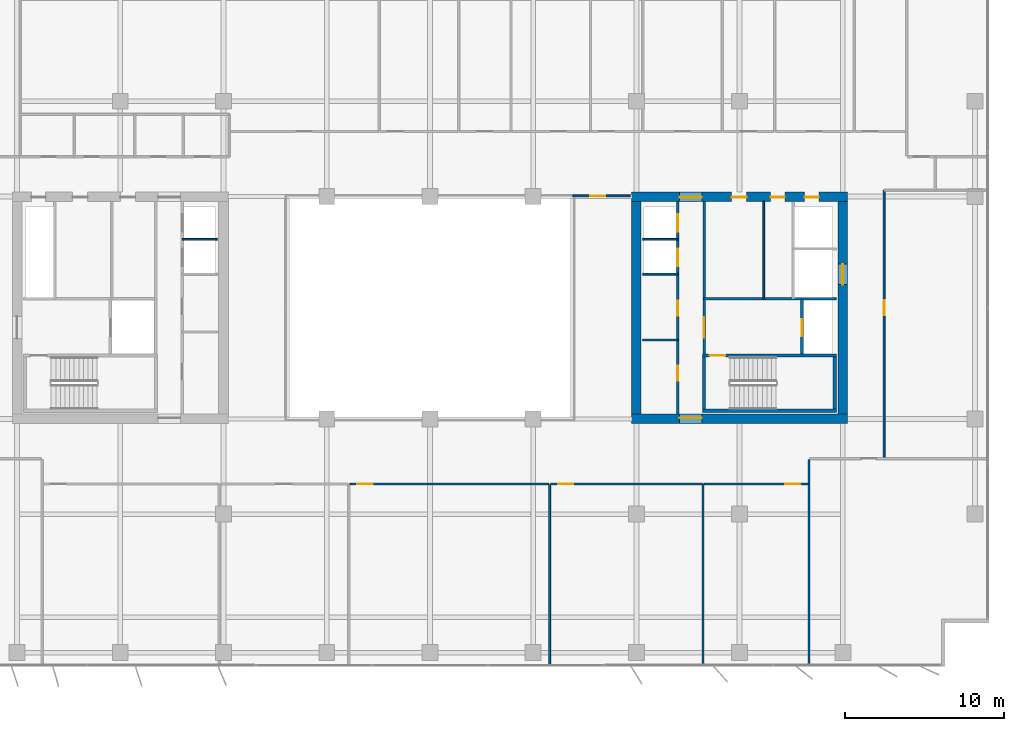
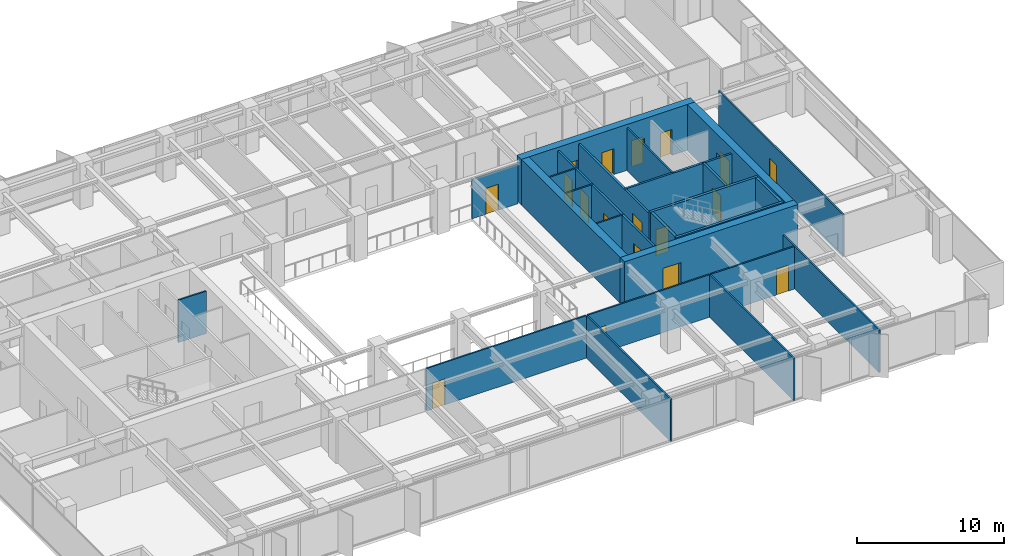
# One storey, part 16 of 22: 25 walls, 18 doors, 18 openings.
"""IFC4 building model written with IfcOpenShell, lengths in metres."""

from ifc_helpers import new_model, si_unit, direction, frame, frame_2d, origin, place, context, subcontext, project, spatial, rectangle, extrude, material, layer, layer_set, type_object, element, fill, save


model = new_model("IFC4")

# Units and contexts
model_context = context("Model", 3, precision=1e-05, world=origin(), true_north=direction((0.0, 1.0)))
body_context = subcontext(model_context, "Body", "Model", "MODEL_VIEW")
ifc_project = project(units=[si_unit("LENGTHUNIT", "METRE"), si_unit("AREAUNIT", "SQUARE_METRE"), si_unit("VOLUMEUNIT", "CUBIC_METRE"), si_unit("PLANEANGLEUNIT", "RADIAN"), si_unit("MASSUNIT", "GRAM", prefix="KILO")], contexts=[model_context])

# Site, building, storey
site_placement = place(None, origin())
site = spatial("IfcSite", under=ifc_project, at=site_placement, CompositionType="ELEMENT")
building_placement = place(site_placement, origin())
building = spatial("IfcBuilding", under=site, at=building_placement, Name="Putna Gate Headquarters", CompositionType="ELEMENT")
storey_placement = place(building_placement, frame((0.0, 0.0, 193.60009765625)))
storey = spatial("IfcBuildingStorey", under=building, at=storey_placement, Name="L48", CompositionType="ELEMENT", Elevation=193.60009765625)

# Wall, opening, door
ifc_material_1 = material(Name="Concrete C50/60", Category="concrete")
ifc_layer_1 = layer(ifc_material_1, 0.60009765625)
ifc_layer_set_1 = layer_set([ifc_layer_1], Name="Concrete C50/60")
wall_type_1 = type_object("IfcWallType", Name="WALL-CORE-600", PredefinedType="SHEAR", material=ifc_layer_set_1)
wall_1_placement = place(storey_placement, frame((51.699951171875, 19.0, 0.0), z_axis=(0.0, 0.0, 1.0), x_axis=(1.0, 0.0, 0.0)))
wall_1 = element("IfcWall", 1, at=wall_1_placement, inside=storey, type_object=wall_type_1, Name="L48 EC Split Core Shear Wall S", PredefinedType="SHEAR", context=body_context, shape_type="SweptSolid", body=[
    extrude(rectangle(XDim=13.60009765625, YDim=0.60009765625, at=frame_2d((6.800048828125, 0.0))), origin(), (0.0, 0.0, 1.0), 3.7998046875),
])
opening_1_placement = place(wall_1_placement, frame((3.02001953125, 0.0, 0.0)))
opening_1 = element("IfcOpeningElement", 2, at=opening_1_placement, cuts=wall_1, Name="Opening FDD-140", PredefinedType="OPENING", context=body_context, shape_type="SweptSolid", body=[
    extrude(rectangle(XDim=1.39990234375, YDim=2.199951171875, at=frame_2d((0.699951171875, 1.10009765625))), frame((0.0, 0.31005859375, 0.0), z_axis=(0.0, -1.0, 0.0), x_axis=(1.0, 0.0, 0.0)), (0.0, 0.0, 1.0), 0.6201171875),
])
ifc_material_2 = material(Name="Double steel fire door", Category="steel")
door_type_1 = type_object("IfcDoorType", Name="DOOR-FIRE-DBL-1400", OperationType="DOUBLE_DOOR_SINGLE_SWING", PredefinedType="DOOR", material=ifc_material_2)
door_1_placement = place(opening_1_placement, origin())
door_1 = element("IfcDoor", 3, at=door_1_placement, inside=storey, type_object=door_type_1, Name="L48 East Lift Lobby South Door", OperationType="DOUBLE_DOOR_SINGLE_SWING", OverallHeight=2.199951171875, OverallWidth=1.39990234375, PredefinedType="DOOR", context=body_context, shape_type="SweptSolid", body=[
    extrude(rectangle(XDim=1.39990234375, YDim=2.199951171875, at=frame_2d((0.699951171875, 1.10009765625))), frame((0.0, 0.0751953125, 0.0), z_axis=(0.0, -1.0, 0.0), x_axis=(1.0, 0.0, 0.0)), (0.0, 0.0, 1.0), 0.050048828125),
])
fill(opening_1, door_1)

# Wall, openings, doors
wall_2_placement = place(storey_placement, frame((51.699951171875, 33.0, 0.0), z_axis=(0.0, 0.0, 1.0), x_axis=(1.0, 0.0, 0.0)))
wall_2 = element("IfcWall", 4, at=wall_2_placement, inside=storey, type_object=wall_type_1, Name="L48 EC Split Core Shear Wall N", PredefinedType="SHEAR", context=body_context, shape_type="SweptSolid", body=[
    extrude(rectangle(XDim=13.60009765625, YDim=0.60009765625, at=frame_2d((6.800048828125, 0.0))), origin(), (0.0, 0.0, 1.0), 3.7998046875),
])
opening_2_placement = place(wall_2_placement, frame((3.02001953125, 0.0, 0.0)))
opening_2 = element("IfcOpeningElement", 5, at=opening_2_placement, cuts=wall_2, Name="Opening FDD-140", PredefinedType="OPENING", context=body_context, shape_type="SweptSolid", body=[
    extrude(rectangle(XDim=1.39990234375, YDim=2.199951171875, at=frame_2d((0.699951171875, 1.10009765625))), frame((0.0, 0.31005859375, 0.0), z_axis=(0.0, -1.0, 0.0), x_axis=(1.0, 0.0, 0.0)), (0.0, 0.0, 1.0), 0.6201171875),
])
opening_3_placement = place(wall_2_placement, frame((10.89990234375, 0.0, 0.0)))
opening_3 = element("IfcOpeningElement", 6, at=opening_3_placement, cuts=wall_2, Name="Opening RD-90", PredefinedType="OPENING", context=body_context, shape_type="SweptSolid", body=[
    extrude(rectangle(XDim=0.89990234375, YDim=2.14990234375, at=frame_2d((0.449951171875, 1.074951171875))), frame((0.0, 0.31005859375, 0.0), z_axis=(0.0, -1.0, 0.0), x_axis=(1.0, 0.0, 0.0)), (0.0, 0.0, 1.0), 0.6201171875),
])
opening_4_placement = place(wall_2_placement, frame((6.300048828125, 0.0, 0.0)))
opening_4 = element("IfcOpeningElement", 7, at=opening_4_placement, cuts=wall_2, Name="Opening IDS-95", PredefinedType="OPENING", context=body_context, shape_type="SweptSolid", body=[
    extrude(rectangle(XDim=0.949951171875, YDim=2.14990234375, at=frame_2d((0.47509765625, 1.074951171875))), frame((0.0, 0.31005859375, 0.0), z_axis=(0.0, -1.0, 0.0), x_axis=(1.0, 0.0, 0.0)), (0.0, 0.0, 1.0), 0.6201171875),
])
opening_5_placement = place(wall_2_placement, frame((8.75, 0.0, 0.0)))
opening_5 = element("IfcOpeningElement", 8, at=opening_5_placement, cuts=wall_2, Name="Opening IDS-90", PredefinedType="OPENING", context=body_context, shape_type="SweptSolid", body=[
    extrude(rectangle(XDim=0.89990234375, YDim=2.14990234375, at=frame_2d((0.449951171875, 1.074951171875))), frame((0.0, 0.31005859375, 0.0), z_axis=(0.0, -1.0, 0.0), x_axis=(1.0, 0.0, 0.0)), (0.0, 0.0, 1.0), 0.6201171875),
])
door_2_placement = place(opening_2_placement, origin())
door_2 = element("IfcDoor", 9, at=door_2_placement, inside=storey, type_object=door_type_1, Name="L48 East Lift Lobby North Door", OperationType="DOUBLE_DOOR_SINGLE_SWING", OverallHeight=2.199951171875, OverallWidth=1.39990234375, PredefinedType="DOOR", context=body_context, shape_type="SweptSolid", body=[
    extrude(rectangle(XDim=1.39990234375, YDim=2.199951171875, at=frame_2d((0.699951171875, 1.10009765625))), frame((0.0, -0.02490234375, 0.0), z_axis=(0.0, -1.0, 0.0), x_axis=(1.0, 0.0, 0.0)), (0.0, 0.0, 1.0), 0.050048828125),
])
fill(opening_2, door_2)
ifc_material_3 = material(Name="Fire-rated utility door")
door_type_2 = type_object("IfcDoorType", Name="DOOR-INT-900", OperationType="NOTDEFINED", PredefinedType="DOOR", material=ifc_material_3)
door_3_placement = place(opening_5_placement, origin())
door_3 = element("IfcDoor", 10, at=door_3_placement, inside=storey, type_object=door_type_2, Name="L48 Electrical Plant Door", OperationType="SINGLE_SWING_LEFT", OverallHeight=2.14990234375, OverallWidth=0.89990234375, PredefinedType="DOOR", context=body_context, shape_type="SweptSolid", body=[
    extrude(rectangle(XDim=0.89990234375, YDim=2.14990234375, at=frame_2d((0.449951171875, 1.074951171875))), frame((0.0, -0.02490234375, 0.0), z_axis=(0.0, -1.0, 0.0), x_axis=(1.0, 0.0, 0.0)), (0.0, 0.0, 1.0), 0.050048828125),
])
fill(opening_5, door_3)
ifc_material_4 = material(Name="Fire-rated service timber door", Category="wood")
door_type_3 = type_object("IfcDoorType", Name="DOOR-INT-950", OperationType="NOTDEFINED", PredefinedType="DOOR", material=ifc_material_4)
door_4_placement = place(opening_4_placement, origin())
door_4 = element("IfcDoor", 11, at=door_4_placement, inside=storey, type_object=door_type_3, Name="L48 East Store Door", OperationType="SINGLE_SWING_RIGHT", OverallHeight=2.14990234375, OverallWidth=0.949951171875, PredefinedType="DOOR", context=body_context, shape_type="SweptSolid", body=[
    extrude(rectangle(XDim=0.949951171875, YDim=2.14990234375, at=frame_2d((0.47509765625, 1.074951171875))), frame((0.0, -0.02490234375, 0.0), z_axis=(0.0, -1.0, 0.0), x_axis=(1.0, 0.0, 0.0)), (0.0, 0.0, 1.0), 0.050048828125),
])
fill(opening_4, door_4)
ifc_material_5 = material(Name="Steel riser access fire door", Category="steel")
door_type_4 = type_object("IfcDoorType", Name="DOOR-RISER-900", OperationType="NOTDEFINED", PredefinedType="DOOR", material=ifc_material_5)
door_5_placement = place(opening_3_placement, origin())
door_5 = element("IfcDoor", 12, at=door_5_placement, inside=storey, type_object=door_type_4, Name="L48 East Riser Access Door", OperationType="SINGLE_SWING_LEFT", OverallHeight=2.14990234375, OverallWidth=0.89990234375, PredefinedType="DOOR", context=body_context, shape_type="SweptSolid", body=[
    extrude(rectangle(XDim=0.89990234375, YDim=2.14990234375, at=frame_2d((0.449951171875, 1.074951171875))), frame((0.0, -0.02490234375, 0.0), z_axis=(0.0, -1.0, 0.0), x_axis=(1.0, 0.0, 0.0)), (0.0, 0.0, 1.0), 0.050048828125),
])
fill(opening_3, door_5)

# Wall
wall_3_placement = place(storey_placement, frame((52.0, 19.300048828125, 0.0), z_axis=(0.0, 0.0, 1.0), x_axis=(0.0, 1.0, 0.0)))
element("IfcWall", 13, at=wall_3_placement, inside=storey, type_object=wall_type_1, Name="L48 EC Split Core Shear Wall W", PredefinedType="SHEAR", context=body_context, shape_type="SweptSolid", body=[
    extrude(rectangle(XDim=13.39990234375, YDim=0.60009765625, at=frame_2d((6.699951171875, 0.0))), origin(), (0.0, 0.0, 1.0), 3.7998046875),
])

# Wall, opening, door
wall_4_placement = place(storey_placement, frame((65.0, 19.300048828125, 0.0), z_axis=(0.0, 0.0, 1.0), x_axis=(0.0, 1.0, 0.0)))
wall_4 = element("IfcWall", 14, at=wall_4_placement, inside=storey, type_object=wall_type_1, Name="L48 EC Split Core Shear Wall E", PredefinedType="SHEAR", context=body_context, shape_type="SweptSolid", body=[
    extrude(rectangle(XDim=13.39990234375, YDim=0.60009765625, at=frame_2d((6.699951171875, 0.0))), origin(), (0.0, 0.0, 1.0), 3.7998046875),
])
opening_6_placement = place(wall_4_placement, frame((8.14990234375, 0.0, 0.0)))
opening_6 = element("IfcOpeningElement", 15, at=opening_6_placement, cuts=wall_4, Name="Opening LD-2", PredefinedType="OPENING", context=body_context, shape_type="SweptSolid", body=[
    extrude(rectangle(XDim=1.300048828125, YDim=2.199951171875, at=frame_2d((0.64990234375, 1.10009765625))), frame((0.0, 0.31005859375, 0.0), z_axis=(0.0, -1.0, 0.0), x_axis=(1.0, 0.0, 0.0)), (0.0, 0.0, 1.0), 0.6201171875),
])
ifc_material_6 = material(Name="Heavy-duty goods lift sliding landing door")
door_type_5 = type_object("IfcDoorType", Name="DOOR-LIFT-1300", OperationType="DOUBLE_DOOR_SLIDING", PredefinedType="DOOR", material=ifc_material_6)
door_6_placement = place(opening_6_placement, origin())
door_6 = element("IfcDoor", 16, at=door_6_placement, inside=storey, type_object=door_type_5, Name="L48 Goods Lift Landing Door LD-15", OperationType="DOUBLE_DOOR_SLIDING", OverallHeight=2.199951171875, OverallWidth=1.300048828125, PredefinedType="DOOR", context=body_context, shape_type="SweptSolid", body=[
    extrude(rectangle(XDim=1.300048828125, YDim=2.199951171875, at=frame_2d((0.64990234375, 1.10009765625))), frame((0.0, 0.02490234375, 0.0), z_axis=(0.0, -1.0, 0.0), x_axis=(1.0, 0.0, 0.0)), (0.0, 0.0, 1.0), 0.050048828125),
])
fill(opening_6, door_6)

ifc_material_7 = material(Name="Acoustic gypsum board on metal stud")
ifc_layer_2 = layer(ifc_material_7, 0.1201171875)
ifc_layer_set_2 = layer_set([ifc_layer_2], Name="Acoustic gypsum board on metal stud")
wall_type_2 = type_object("IfcWallType", Name="WALL-PART-120", PredefinedType="PARTITIONING", material=ifc_layer_set_2)
wall_5_placement = place(storey_placement, frame((48.0, 33.0400390625, 0.0), z_axis=(0.0, 0.0, 1.0), x_axis=(1.0, 0.0, 0.0)))
wall_5 = element("IfcWall", 17, at=wall_5_placement, inside=storey, type_object=wall_type_2, Name="L48 Interior Wall PART-L48-ATR-E-N", PredefinedType="PARTITIONING", context=body_context, shape_type="SweptSolid", body=[
    extrude(rectangle(XDim=3.60009765625, YDim=0.1201171875, at=frame_2d((1.800048828125, 0.0))), origin(), (0.0, 0.0, 1.0), 3.260009765625),
])
opening_7_placement = place(wall_5_placement, frame((1.10009765625, 0.0, 0.0)))
opening_7 = element("IfcOpeningElement", 18, at=opening_7_placement, cuts=wall_5, Name="Opening ID-95", PredefinedType="OPENING", context=body_context, shape_type="SweptSolid", body=[
    extrude(rectangle(XDim=0.949951171875, YDim=2.14990234375, at=frame_2d((0.47509765625, 1.074951171875))), frame((0.0, 0.070068359375, 0.0), z_axis=(0.0, -1.0, 0.0), x_axis=(1.0, 0.0, 0.0)), (0.0, 0.0, 1.0), 0.14013671875),
])
ifc_material_8 = material(Name="Veneered acoustic timber door", Category="wood")
door_type_6 = type_object("IfcDoorType", Name="DOOR-OFF-950", OperationType="NOTDEFINED", PredefinedType="DOOR", material=ifc_material_8)
door_7_placement = place(opening_7_placement, origin())
door_7 = element("IfcDoor", 19, at=door_7_placement, inside=storey, type_object=door_type_6, Name="L48 East Sky Atrium Lounge Door", OperationType="SINGLE_SWING_LEFT", OverallHeight=2.14990234375, OverallWidth=0.949951171875, PredefinedType="DOOR", context=body_context, shape_type="SweptSolid", body=[
    extrude(rectangle(XDim=0.949951171875, YDim=2.14990234375, at=frame_2d((0.47509765625, 1.074951171875))), frame((0.0, 0.02490234375, 0.0), z_axis=(0.0, -1.0, 0.0), x_axis=(1.0, 0.0, 0.0)), (0.0, 0.0, 1.0), 0.050048828125),
])
fill(opening_7, door_7)

# Walls
for number, where, z_axis, x_axis, name in (
    (20, (46.536376953125, 3.419921875, 0.0), (0.0, 0.0, 1.0), (0.0, 1.0, 0.0), "L48 Interior Wall PART-L48-SB-DIV-04"),
    (21, (56.19482421875, 3.419921875, 0.0), (0.0, 0.0, 1.0), (0.0, 1.0, 0.0), "L48 Interior Wall PART-L48-SB-DIV-05"),
):
    element("IfcWall", number, at=place(storey_placement, frame(where, z_axis=z_axis, x_axis=x_axis)), inside=storey, type_object=wall_type_2, Name=name, PredefinedType="PARTITIONING", context=body_context, shape_type="SweptSolid", body=[
        extrude(rectangle(XDim=11.420166015625, YDim=0.1201171875, at=frame_2d((5.7099609375, 0.0))), origin(), (0.0, 0.0, 1.0), 3.52001953125),
    ])
wall_6_placement = place(storey_placement, frame((62.86962890625, 3.419921875, 0.0), z_axis=(0.0, 0.0, 1.0), x_axis=(0.0, 1.0, 0.0)))
element("IfcWall", 22, at=wall_6_placement, inside=storey, type_object=wall_type_2, Name="L48 Interior Wall PART-L48-SB-DIV-06", PredefinedType="PARTITIONING", context=body_context, shape_type="SweptSolid", body=[
    extrude(rectangle(XDim=13.02001953125, YDim=0.1201171875, at=frame_2d((6.510009765625, 0.0))), origin(), (0.0, 0.0, 1.0), 3.52001953125),
])
ifc_material_9 = material(Name="Fire-rated shaftwall gypsum board on metal stud")
ifc_layer_3 = layer(ifc_material_9, 0.1201171875)
ifc_layer_set_3 = layer_set([ifc_layer_3], Name="Fire-rated shaftwall gypsum board on metal stud")
wall_type_3 = type_object("IfcWallType", Name="WALL-PART-120-EI120", PredefinedType="PARTITIONING", material=ifc_layer_set_3)
for number, where, z_axis, x_axis, name in (
    (23, (23.39990234375, 30.31005859375, 0.0), (0.0, 0.0, 1.0), (1.0, 0.0, 0.0), "L48 Interior Wall CWINT-L48-WC-LF09-DIV"),
    (24, (52.39990234375, 30.31005859375, 0.0), (0.0, 0.0, 1.0), (1.0, 0.0, 0.0), "L48 Interior Wall CWINT-L48-EC-LF11-DIV"),
):
    element("IfcWall", number, at=place(storey_placement, frame(where, z_axis=z_axis, x_axis=x_axis)), inside=storey, type_object=wall_type_3, Name=name, PredefinedType="PARTITIONING", context=body_context, shape_type="SweptSolid", body=[
        extrude(rectangle(XDim=2.2001953125, YDim=0.1201171875, at=frame_2d((1.10009765625, 0.0))), origin(), (0.0, 0.0, 1.0), 3.52001953125),
    ])
ifc_material_10 = material(Name="Fire-rated gypsum board on metal stud")
ifc_layer_4 = layer(ifc_material_10, 0.1201171875)
ifc_layer_set_4 = layer_set([ifc_layer_4], Name="Fire-rated gypsum board on metal stud")
wall_type_4 = type_object("IfcWallType", Name="WALL-PART-120-RATED", PredefinedType="PARTITIONING", material=ifc_layer_set_4)
for number, where, z_axis, x_axis, name in (
    (25, (52.39990234375, 23.969970703125, 0.0), (0.0, 0.0, 1.0), (1.0, 0.0, 0.0), "L48 Interior Wall CWINT-L48-EC-REUSE-DIV"),
    (26, (52.39990234375, 28.1201171875, 0.0), (0.0, 0.0, 1.0), (1.0, 0.0, 0.0), "L48 Interior Wall CWINT-L48-EC-LF08-DIV"),
):
    element("IfcWall", number, at=place(storey_placement, frame(where, z_axis=z_axis, x_axis=x_axis)), inside=storey, type_object=wall_type_4, Name=name, PredefinedType="PARTITIONING", context=body_context, shape_type="SweptSolid", body=[
        extrude(rectangle(XDim=2.2001953125, YDim=0.1201171875, at=frame_2d((1.10009765625, 0.0))), origin(), (0.0, 0.0, 1.0), 3.52001953125),
    ])
wall_7_placement = place(storey_placement, frame((60.02001953125, 26.56005859375, 0.0), z_axis=(0.0, 0.0, 1.0), x_axis=(0.0, 1.0, 0.0)))
element("IfcWall", 27, at=wall_7_placement, inside=storey, type_object=wall_type_4, Name="L48 Interior Wall CWINT-L48-EC-K0-DIV", PredefinedType="PARTITIONING", context=body_context, shape_type="SweptSolid", body=[
    extrude(rectangle(XDim=6.139892578125, YDim=0.1201171875, at=frame_2d((3.06982421875, 0.0))), origin(), (0.0, 0.0, 1.0), 3.52001953125),
])

# Wall, opening, door
wall_8_placement = place(storey_placement, frame((33.9541015625, 14.89990234375, 0.0), z_axis=(0.0, 0.0, 1.0), x_axis=(1.0, 0.0, 0.0)))
wall_8 = element("IfcWall", 28, at=wall_8_placement, inside=storey, type_object=wall_type_4, Name="L48 Interior Wall PART-L48-SB-CW-04", PredefinedType="PARTITIONING", context=body_context, shape_type="SweptSolid", body=[
    extrude(rectangle(XDim=12.522216796875, YDim=0.1201171875, at=frame_2d((6.26123046875, 0.0))), origin(), (0.0, 0.0, 1.0), 3.52001953125),
])
opening_8_placement = place(wall_8_placement, frame((0.47998046875, 0.0, 0.0)))
opening_8 = element("IfcOpeningElement", 29, at=opening_8_placement, cuts=wall_8, Name="Opening FD-95", PredefinedType="OPENING", context=body_context, shape_type="SweptSolid", body=[
    extrude(rectangle(XDim=0.949951171875, YDim=2.14990234375, at=frame_2d((0.47509765625, 1.074951171875))), frame((0.0, 0.070068359375, 0.0), z_axis=(0.0, -1.0, 0.0), x_axis=(1.0, 0.0, 0.0)), (0.0, 0.0, 1.0), 0.14013671875),
])
ifc_material_11 = material(Name="Acoustic timber fire door", Category="wood")
door_type_7 = type_object("IfcDoorType", Name="DOOR-FIRE-950", OperationType="NOTDEFINED", PredefinedType="DOOR", material=ifc_material_11)
door_8_placement = place(opening_8_placement, origin())
door_8 = element("IfcDoor", 30, at=door_8_placement, inside=storey, type_object=door_type_7, Name="L48 Cellular Office 6 Door", OperationType="SINGLE_SWING_RIGHT", OverallHeight=2.14990234375, OverallWidth=0.949951171875, PredefinedType="DOOR", context=body_context, shape_type="SweptSolid", body=[
    extrude(rectangle(XDim=0.949951171875, YDim=2.14990234375, at=frame_2d((0.47509765625, 1.074951171875))), frame((0.0, 0.02490234375, 0.0), z_axis=(0.0, -1.0, 0.0), x_axis=(1.0, 0.0, 0.0)), (0.0, 0.0, 1.0), 0.050048828125),
])
fill(opening_8, door_8)

wall_9_placement = place(storey_placement, frame((46.59619140625, 14.89990234375, 0.0), z_axis=(0.0, 0.0, 1.0), x_axis=(1.0, 0.0, 0.0)))
wall_9 = element("IfcWall", 31, at=wall_9_placement, inside=storey, type_object=wall_type_4, Name="L48 Interior Wall PART-L48-SB-CW-05", PredefinedType="PARTITIONING", context=body_context, shape_type="SweptSolid", body=[
    extrude(rectangle(XDim=9.53857421875, YDim=0.1201171875, at=frame_2d((4.769287109375, 0.0))), origin(), (0.0, 0.0, 1.0), 3.52001953125),
])
opening_9_placement = place(wall_9_placement, frame((0.47998046875, 0.0, 0.0)))
opening_9 = element("IfcOpeningElement", 32, at=opening_9_placement, cuts=wall_9, Name="Opening FD-95", PredefinedType="OPENING", context=body_context, shape_type="SweptSolid", body=[
    extrude(rectangle(XDim=0.949951171875, YDim=2.14990234375, at=frame_2d((0.47509765625, 1.074951171875))), frame((0.0, 0.070068359375, 0.0), z_axis=(0.0, -1.0, 0.0), x_axis=(1.0, 0.0, 0.0)), (0.0, 0.0, 1.0), 0.14013671875),
])
door_9_placement = place(opening_9_placement, origin())
door_9 = element("IfcDoor", 33, at=door_9_placement, inside=storey, type_object=door_type_7, Name="L48 Conference Meeting Room 1 Door", OperationType="SINGLE_SWING_LEFT", OverallHeight=2.14990234375, OverallWidth=0.949951171875, PredefinedType="DOOR", context=body_context, shape_type="SweptSolid", body=[
    extrude(rectangle(XDim=0.949951171875, YDim=2.14990234375, at=frame_2d((0.47509765625, 1.074951171875))), frame((0.0, 0.02490234375, 0.0), z_axis=(0.0, -1.0, 0.0), x_axis=(1.0, 0.0, 0.0)), (0.0, 0.0, 1.0), 0.050048828125),
])
fill(opening_9, door_9)

wall_10_placement = place(storey_placement, frame((56.2548828125, 14.89990234375, 0.0), z_axis=(0.0, 0.0, 1.0), x_axis=(1.0, 0.0, 0.0)))
wall_10 = element("IfcWall", 34, at=wall_10_placement, inside=storey, type_object=wall_type_4, Name="L48 Interior Wall PART-L48-SB-CW-06", PredefinedType="PARTITIONING", context=body_context, shape_type="SweptSolid", body=[
    extrude(rectangle(XDim=6.5546875, YDim=0.1201171875, at=frame_2d((3.27734375, 0.0))), origin(), (0.0, 0.0, 1.0), 3.52001953125),
])
opening_10_placement = place(wall_10_placement, frame((5.124755859375, 0.0, 0.0)))
opening_10 = element("IfcOpeningElement", 35, at=opening_10_placement, cuts=wall_10, Name="Opening FD-95", PredefinedType="OPENING", context=body_context, shape_type="SweptSolid", body=[
    extrude(rectangle(XDim=0.949951171875, YDim=2.14990234375, at=frame_2d((0.47509765625, 1.074951171875))), frame((0.0, 0.070068359375, 0.0), z_axis=(0.0, -1.0, 0.0), x_axis=(1.0, 0.0, 0.0)), (0.0, 0.0, 1.0), 0.14013671875),
])
door_10_placement = place(opening_10_placement, origin())
door_10 = element("IfcDoor", 36, at=door_10_placement, inside=storey, type_object=door_type_7, Name="L48 Conference Meeting Room 2 Door", OperationType="SINGLE_SWING_RIGHT", OverallHeight=2.14990234375, OverallWidth=0.949951171875, PredefinedType="DOOR", context=body_context, shape_type="SweptSolid", body=[
    extrude(rectangle(XDim=0.949951171875, YDim=2.14990234375, at=frame_2d((0.47509765625, 1.074951171875))), frame((0.0, 0.02490234375, 0.0), z_axis=(0.0, -1.0, 0.0), x_axis=(1.0, 0.0, 0.0)), (0.0, 0.0, 1.0), 0.050048828125),
])
fill(opening_10, door_10)

wall_11_placement = place(storey_placement, frame((67.60009765625, 16.5, 0.0), z_axis=(0.0, 0.0, 1.0), x_axis=(0.0, 1.0, 0.0)))
wall_11 = element("IfcWall", 37, at=wall_11_placement, inside=storey, type_object=wall_type_4, Name="L48 Interior Wall PART-L48-EW-CW-1", PredefinedType="PARTITIONING", context=body_context, shape_type="SweptSolid", body=[
    extrude(rectangle(XDim=16.89990234375, YDim=0.1201171875, at=frame_2d((8.449951171875, 0.0))), origin(), (0.0, 0.0, 1.0), 3.52001953125),
])
opening_11_placement = place(wall_11_placement, frame((9.02490234375, 0.0, 0.0)))
opening_11 = element("IfcOpeningElement", 38, at=opening_11_placement, cuts=wall_11, Name="Opening FD-95", PredefinedType="OPENING", context=body_context, shape_type="SweptSolid", body=[
    extrude(rectangle(XDim=0.949951171875, YDim=2.14990234375, at=frame_2d((0.47509765625, 1.074951171875))), frame((0.0, 0.070068359375, 0.0), z_axis=(0.0, -1.0, 0.0), x_axis=(1.0, 0.0, 0.0)), (0.0, 0.0, 1.0), 0.14013671875),
])
door_11_placement = place(opening_11_placement, origin())
door_11 = element("IfcDoor", 39, at=door_11_placement, inside=storey, type_object=door_type_7, Name="L48 East Horizon Conference Room 1 Door", OperationType="SINGLE_SWING_LEFT", OverallHeight=2.14990234375, OverallWidth=0.949951171875, PredefinedType="DOOR", context=body_context, shape_type="SweptSolid", body=[
    extrude(rectangle(XDim=0.949951171875, YDim=2.14990234375, at=frame_2d((0.47509765625, 1.074951171875))), frame((0.0, 0.02490234375, 0.0), z_axis=(0.0, -1.0, 0.0), x_axis=(1.0, 0.0, 0.0)), (0.0, 0.0, 1.0), 0.050048828125),
])
fill(opening_11, door_11)

# Wall, openings, doors
ifc_material_12 = material(Name="Concrete C40/50", Category="concrete")
ifc_layer_5 = layer(ifc_material_12, 0.159912109375)
ifc_layer_set_5 = layer_set([ifc_layer_5], Name="Concrete C40/50")
wall_type_5 = type_object("IfcWallType", Name="WALL-SHAFT-160", PredefinedType="STANDARD", material=ifc_layer_set_5)
wall_12_placement = place(storey_placement, frame((54.60009765625, 19.300048828125, 0.0), z_axis=(0.0, 0.0, 1.0), x_axis=(0.0, 1.0, 0.0)))
wall_12 = element("IfcWall", 40, at=wall_12_placement, inside=storey, type_object=wall_type_5, Name="L48 Interior Wall CWINT-L48-EC-PL-WALL", PredefinedType="STANDARD", context=body_context, shape_type="SweptSolid", body=[
    extrude(rectangle(XDim=13.39990234375, YDim=0.159912109375, at=frame_2d((6.699951171875, 0.0))), origin(), (0.0, 0.0, 1.0), 3.52001953125),
])
opening_12_placement = place(wall_12_placement, frame((2.10009765625, 0.0, 0.0)))
opening_12 = element("IfcOpeningElement", 41, at=opening_12_placement, cuts=wall_12, Name="Opening IDS-95", PredefinedType="OPENING", context=body_context, shape_type="SweptSolid", body=[
    extrude(rectangle(XDim=0.949951171875, YDim=2.14990234375, at=frame_2d((0.47509765625, 1.074951171875))), frame((0.0, 0.08984375, 0.0), z_axis=(0.0, -1.0, 0.0), x_axis=(1.0, 0.0, 0.0)), (0.0, 0.0, 1.0), 0.179931640625),
])
opening_13_placement = place(wall_12_placement, frame((6.199951171875, 0.0, 0.0)))
opening_13 = element("IfcOpeningElement", 42, at=opening_13_placement, cuts=wall_12, Name="Opening IDS-95", PredefinedType="OPENING", context=body_context, shape_type="SweptSolid", body=[
    extrude(rectangle(XDim=0.949951171875, YDim=2.14990234375, at=frame_2d((0.47509765625, 1.074951171875))), frame((0.0, 0.08984375, 0.0), z_axis=(0.0, -1.0, 0.0), x_axis=(1.0, 0.0, 0.0)), (0.0, 0.0, 1.0), 0.179931640625),
])
opening_14_placement = place(wall_12_placement, frame((9.300048828125, 0.0, 0.0)))
opening_14 = element("IfcOpeningElement", 43, at=opening_14_placement, cuts=wall_12, Name="Opening LD-1", PredefinedType="OPENING", context=body_context, shape_type="SweptSolid", body=[
    extrude(rectangle(XDim=1.10009765625, YDim=2.199951171875, at=frame_2d((0.550048828125, 1.10009765625))), frame((0.0, 0.08984375, 0.0), z_axis=(0.0, -1.0, 0.0), x_axis=(1.0, 0.0, 0.0)), (0.0, 0.0, 1.0), 0.179931640625),
])
opening_15_placement = place(wall_12_placement, frame((11.5, 0.0, 0.0)))
opening_15 = element("IfcOpeningElement", 44, at=opening_15_placement, cuts=wall_12, Name="Opening LD-1", PredefinedType="OPENING", context=body_context, shape_type="SweptSolid", body=[
    extrude(rectangle(XDim=1.10009765625, YDim=2.199951171875, at=frame_2d((0.550048828125, 1.10009765625))), frame((0.0, 0.08984375, 0.0), z_axis=(0.0, -1.0, 0.0), x_axis=(1.0, 0.0, 0.0)), (0.0, 0.0, 1.0), 0.179931640625),
])
door_12_placement = place(opening_12_placement, origin())
door_12 = element("IfcDoor", 45, at=door_12_placement, inside=storey, type_object=door_type_3, Name="L48 Executive Archive Door", OperationType="SINGLE_SWING_RIGHT", OverallHeight=2.14990234375, OverallWidth=0.949951171875, PredefinedType="DOOR", context=body_context, shape_type="SweptSolid", body=[
    extrude(rectangle(XDim=0.949951171875, YDim=2.14990234375, at=frame_2d((0.47509765625, 1.074951171875))), frame((0.0, 0.02490234375, 0.0), z_axis=(0.0, -1.0, 0.0), x_axis=(1.0, 0.0, 0.0)), (0.0, 0.0, 1.0), 0.050048828125),
])
fill(opening_12, door_12)
door_13_placement = place(opening_13_placement, origin())
door_13 = element("IfcDoor", 46, at=door_13_placement, inside=storey, type_object=door_type_3, Name="L48 Comms Distribution Door", OperationType="SINGLE_SWING_LEFT", OverallHeight=2.14990234375, OverallWidth=0.949951171875, PredefinedType="DOOR", context=body_context, shape_type="SweptSolid", body=[
    extrude(rectangle(XDim=0.949951171875, YDim=2.14990234375, at=frame_2d((0.47509765625, 1.074951171875))), frame((0.0, 0.02490234375, 0.0), z_axis=(0.0, -1.0, 0.0), x_axis=(1.0, 0.0, 0.0)), (0.0, 0.0, 1.0), 0.050048828125),
])
fill(opening_13, door_13)
ifc_material_13 = material(Name="Brushed bronze stainless lift landing door")
door_type_8 = type_object("IfcDoorType", Name="DOOR-LIFT-1100", OperationType="DOUBLE_DOOR_SLIDING", PredefinedType="DOOR", material=ifc_material_13)
door_14_placement = place(opening_14_placement, origin())
door_14 = element("IfcDoor", 47, at=door_14_placement, inside=storey, type_object=door_type_8, Name="L48 Lift Landing Door LD-11", OperationType="DOUBLE_DOOR_SLIDING", OverallHeight=2.199951171875, OverallWidth=1.10009765625, PredefinedType="DOOR", context=body_context, shape_type="SweptSolid", body=[
    extrude(rectangle(XDim=1.10009765625, YDim=2.199951171875, at=frame_2d((0.550048828125, 1.10009765625))), frame((0.0, 0.02490234375, 0.0), z_axis=(0.0, -1.0, 0.0), x_axis=(1.0, 0.0, 0.0)), (0.0, 0.0, 1.0), 0.050048828125),
])
fill(opening_14, door_14)
door_15_placement = place(opening_15_placement, origin())
door_15 = element("IfcDoor", 48, at=door_15_placement, inside=storey, type_object=door_type_8, Name="L48 Lift Landing Door LD-12", OperationType="DOUBLE_DOOR_SLIDING", OverallHeight=2.199951171875, OverallWidth=1.10009765625, PredefinedType="DOOR", context=body_context, shape_type="SweptSolid", body=[
    extrude(rectangle(XDim=1.10009765625, YDim=2.199951171875, at=frame_2d((0.550048828125, 1.10009765625))), frame((0.0, 0.02490234375, 0.0), z_axis=(0.0, -1.0, 0.0), x_axis=(1.0, 0.0, 0.0)), (0.0, 0.0, 1.0), 0.050048828125),
])
fill(opening_15, door_15)

# Wall, opening, door
wall_13_placement = place(storey_placement, frame((56.260009765625, 23.090087890625, 0.0), z_axis=(0.0, 0.0, 1.0), x_axis=(0.0, 1.0, 0.0)))
wall_13 = element("IfcWall", 49, at=wall_13_placement, inside=storey, type_object=wall_type_5, Name="L48 Interior Wall CWINT-L48-EC-LOB-E", PredefinedType="STANDARD", context=body_context, shape_type="SweptSolid", body=[
    extrude(rectangle(XDim=9.60986328125, YDim=0.159912109375, at=frame_2d((4.804931640625, 0.0))), origin(), (0.0, 0.0, 1.0), 3.52001953125),
])
opening_16_placement = place(wall_13_placement, frame((1.010009765625, 0.0, 0.0)))
opening_16 = element("IfcOpeningElement", 50, at=opening_16_placement, cuts=wall_13, Name="Opening FDD-130", PredefinedType="OPENING", context=body_context, shape_type="SweptSolid", body=[
    extrude(rectangle(XDim=1.300048828125, YDim=2.199951171875, at=frame_2d((0.64990234375, 1.10009765625))), frame((0.0, 0.08984375, 0.0), z_axis=(0.0, -1.0, 0.0), x_axis=(1.0, 0.0, 0.0)), (0.0, 0.0, 1.0), 0.179931640625),
])
ifc_material_14 = material(Name="Double steel lobby fire door", Category="steel")
door_type_9 = type_object("IfcDoorType", Name="DOOR-FIRE-DBL-1300", OperationType="DOUBLE_DOOR_SINGLE_SWING", PredefinedType="DOOR", material=ifc_material_14)
door_16_placement = place(opening_16_placement, origin())
door_16 = element("IfcDoor", 51, at=door_16_placement, inside=storey, type_object=door_type_9, Name="L48 East Firefighting Lobby Door", OperationType="DOUBLE_DOOR_SINGLE_SWING", OverallHeight=2.199951171875, OverallWidth=1.300048828125, PredefinedType="DOOR", context=body_context, shape_type="SweptSolid", body=[
    extrude(rectangle(XDim=1.300048828125, YDim=2.199951171875, at=frame_2d((0.64990234375, 1.10009765625))), frame((0.0, 0.02490234375, 0.0), z_axis=(0.0, -1.0, 0.0), x_axis=(1.0, 0.0, 0.0)), (0.0, 0.0, 1.0), 0.050048828125),
])
fill(opening_16, door_16)

wall_14_placement = place(storey_placement, frame((62.429931640625, 23.090087890625, 0.0), z_axis=(0.0, 0.0, 1.0), x_axis=(0.0, 1.0, 0.0)))
wall_14 = element("IfcWall", 52, at=wall_14_placement, inside=storey, type_object=wall_type_5, Name="L48 Interior Wall CWINT-L48-EC-LF14-W", PredefinedType="STANDARD", context=body_context, shape_type="SweptSolid", body=[
    extrude(rectangle(XDim=3.469970703125, YDim=0.159912109375, at=frame_2d((1.73486328125, 0.0))), origin(), (0.0, 0.0, 1.0), 3.52001953125),
])
opening_17_placement = place(wall_14_placement, frame((1.10009765625, 0.0, 0.0)))
opening_17 = element("IfcOpeningElement", 53, at=opening_17_placement, cuts=wall_14, Name="Opening LD-1", PredefinedType="OPENING", context=body_context, shape_type="SweptSolid", body=[
    extrude(rectangle(XDim=1.10009765625, YDim=2.199951171875, at=frame_2d((0.550048828125, 1.10009765625))), frame((0.0, 0.08984375, 0.0), z_axis=(0.0, -1.0, 0.0), x_axis=(1.0, 0.0, 0.0)), (0.0, 0.0, 1.0), 0.179931640625),
])
door_17_placement = place(opening_17_placement, origin())
door_17 = element("IfcDoor", 54, at=door_17_placement, inside=storey, type_object=door_type_8, Name="L48 Lift Landing Door LD-14", OperationType="DOUBLE_DOOR_SLIDING", OverallHeight=2.199951171875, OverallWidth=1.10009765625, PredefinedType="DOOR", context=body_context, shape_type="SweptSolid", body=[
    extrude(rectangle(XDim=1.10009765625, YDim=2.199951171875, at=frame_2d((0.550048828125, 1.10009765625))), frame((0.0, 0.02490234375, 0.0), z_axis=(0.0, -1.0, 0.0), x_axis=(1.0, 0.0, 0.0)), (0.0, 0.0, 1.0), 0.050048828125),
])
fill(opening_17, door_17)

# Walls
wall_15_placement = place(storey_placement, frame((56.260009765625, 26.56005859375, 0.0), z_axis=(0.0, 0.0, 1.0), x_axis=(1.0, 0.0, 0.0)))
element("IfcWall", 55, at=wall_15_placement, inside=storey, type_object=wall_type_5, Name="L48 Interior Wall CWINT-L48-EC-FFL-N", PredefinedType="STANDARD", context=body_context, shape_type="SweptSolid", body=[
    extrude(rectangle(XDim=8.340087890625, YDim=0.159912109375, at=frame_2d((4.169921875, 0.0))), origin(), (0.0, 0.0, 1.0), 3.52001953125),
])
ifc_layer_6 = layer(ifc_material_12, 0.199951171875)
ifc_layer_set_6 = layer_set([ifc_layer_6], Name="Concrete C40/50")
wall_type_6 = type_object("IfcWallType", Name="WALL-SHAFT-RC200", PredefinedType="SHEAR", material=ifc_layer_set_6)
wall_16_placement = place(storey_placement, frame((56.159912109375, 19.510009765625, 0.0), z_axis=(0.0, 0.0, 1.0), x_axis=(1.0, 0.0, 0.0)))
element("IfcWall", 56, at=wall_16_placement, inside=storey, type_object=wall_type_6, Name="L48 Stair ST2 Structural Shaft Wall S", PredefinedType="SHEAR", context=body_context, shape_type="SweptSolid", body=[
    extrude(rectangle(XDim=8.43017578125, YDim=0.199951171875, at=frame_2d((4.215087890625, 0.0))), origin(), (0.0, 0.0, 1.0), 3.7998046875),
])

# Wall, opening, door
wall_17_placement = place(storey_placement, frame((56.159912109375, 22.989990234375, 0.0), z_axis=(0.0, 0.0, 1.0), x_axis=(1.0, 0.0, 0.0)))
wall_17 = element("IfcWall", 57, at=wall_17_placement, inside=storey, type_object=wall_type_6, Name="L48 Stair ST2 Structural Shaft Wall N", PredefinedType="SHEAR", context=body_context, shape_type="SweptSolid", body=[
    extrude(rectangle(XDim=8.43017578125, YDim=0.199951171875, at=frame_2d((4.215087890625, 0.0))), origin(), (0.0, 0.0, 1.0), 3.7998046875),
])
opening_18_placement = place(wall_17_placement, frame((0.449951171875, 0.0, 0.0)))
opening_18 = element("IfcOpeningElement", 58, at=opening_18_placement, cuts=wall_17, Name="Opening FD-100", PredefinedType="OPENING", context=body_context, shape_type="SweptSolid", body=[
    extrude(rectangle(XDim=1.0, YDim=2.14990234375, at=frame_2d((0.5, 1.074951171875))), frame((0.0, 0.10986328125, 0.0), z_axis=(0.0, -1.0, 0.0), x_axis=(1.0, 0.0, 0.0)), (0.0, 0.0, 1.0), 0.219970703125),
])
ifc_material_15 = material(Name="Powder-coated steel fire door", Category="steel")
door_type_10 = type_object("IfcDoorType", Name="DOOR-FIRE-1000", OperationType="NOTDEFINED", PredefinedType="DOOR", material=ifc_material_15)
door_18_placement = place(opening_18_placement, origin())
door_18 = element("IfcDoor", 59, at=door_18_placement, inside=storey, type_object=door_type_10, Name="L48 Stair ST2 Fire Door", OperationType="SINGLE_SWING_RIGHT", OverallHeight=2.14990234375, OverallWidth=1.0, PredefinedType="DOOR", context=body_context, shape_type="SweptSolid", body=[
    extrude(rectangle(XDim=1.0, YDim=2.14990234375, at=frame_2d((0.5, 1.074951171875))), frame((0.0, 0.02490234375, 0.0), z_axis=(0.0, -1.0, 0.0), x_axis=(1.0, 0.0, 0.0)), (0.0, 0.0, 1.0), 0.050048828125),
])
fill(opening_18, door_18)

# Walls
for number, where, z_axis, x_axis, name in (
    (60, (56.260009765625, 19.610107421875, 0.0), (0.0, 0.0, 1.0), (0.0, 1.0, 0.0), "L48 Stair ST2 Structural Shaft Wall W"),
    (61, (64.489990234375, 19.610107421875, 0.0), (0.0, 0.0, 1.0), (0.0, 1.0, 0.0), "L48 Stair ST2 Structural Shaft Wall E"),
):
    element("IfcWall", number, at=place(storey_placement, frame(where, z_axis=z_axis, x_axis=x_axis)), inside=storey, type_object=wall_type_6, Name=name, PredefinedType="SHEAR", context=body_context, shape_type="SweptSolid", body=[
        extrude(rectangle(XDim=3.27978515625, YDim=0.199951171875, at=frame_2d((1.639892578125, 0.0))), origin(), (0.0, 0.0, 1.0), 3.7998046875),
    ])

save(model, "model.ifc")
